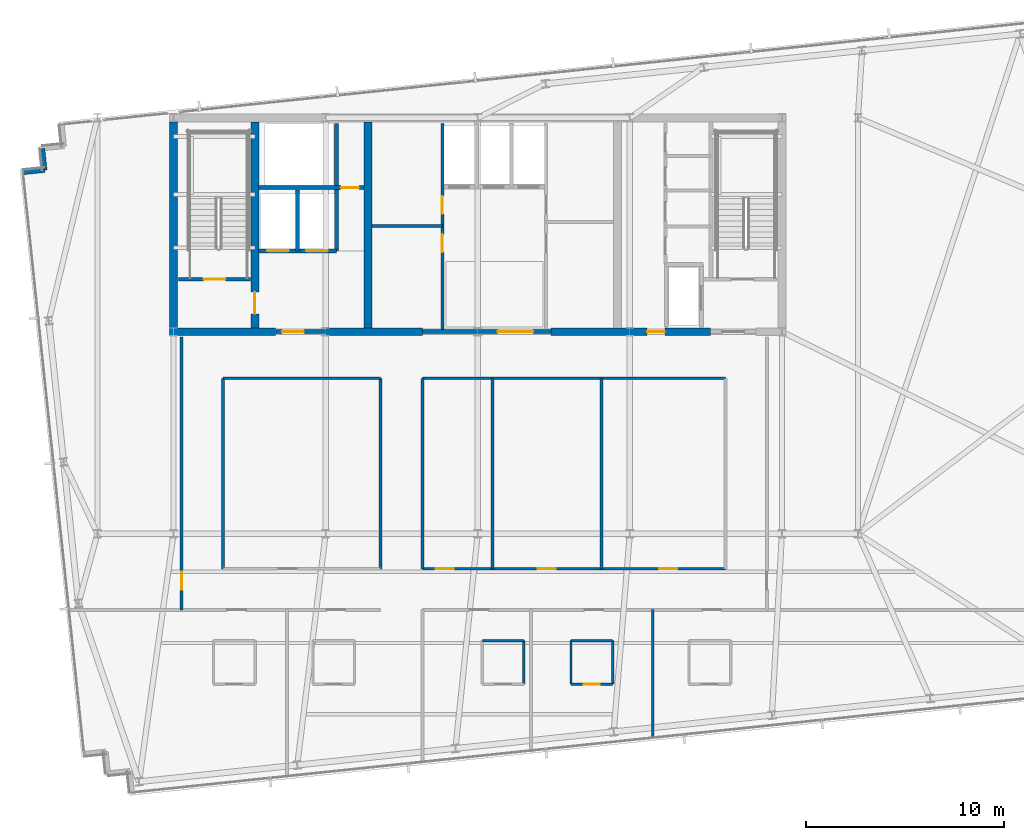
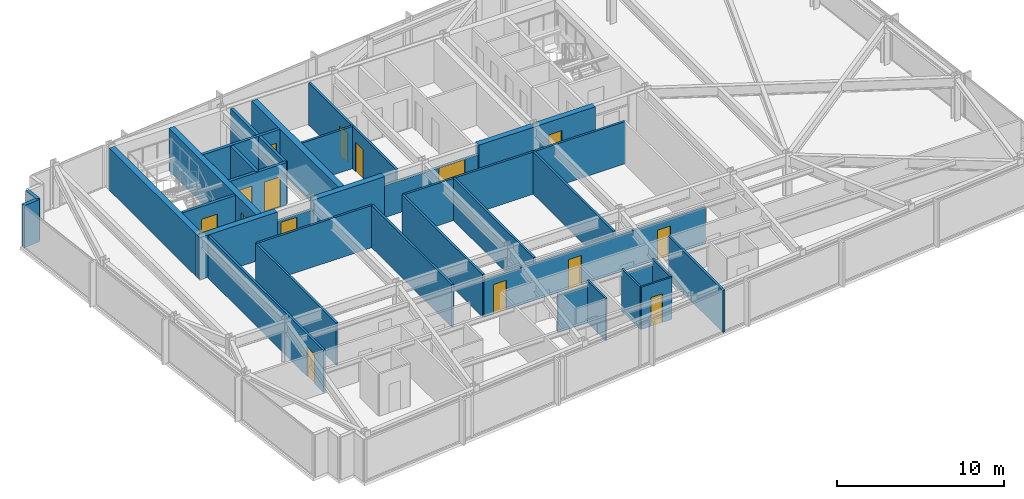
# One storey, part 27 of 33: 33 walls, 15 doors, 15 openings.
"""IFC4 building model written with IfcOpenShell, lengths in metres."""

from ifc_helpers import new_model, si_unit, direction, frame, frame_2d, origin, place, context, subcontext, project, spatial, rectangle, extrude, material, layer, layer_set, type_object, element, fill, save


model = new_model("IFC4")

# Units and contexts
model_context = context("Model", 3, precision=1e-05, world=origin(), true_north=direction((0.0, 1.0)))
body_context = subcontext(model_context, "Body", "Model", "MODEL_VIEW")
ifc_project = project(units=[si_unit("LENGTHUNIT", "METRE"), si_unit("AREAUNIT", "SQUARE_METRE"), si_unit("VOLUMEUNIT", "CUBIC_METRE"), si_unit("PLANEANGLEUNIT", "RADIAN"), si_unit("MASSUNIT", "GRAM", prefix="KILO")], contexts=[model_context])

# Site, building, storey
site_placement = place(None, origin())
site = spatial("IfcSite", under=ifc_project, at=site_placement, CompositionType="ELEMENT")
building_placement = place(site_placement, origin())
building = spatial("IfcBuilding", under=site, at=building_placement, Name="Yelkora Congress Tower", CompositionType="ELEMENT")
storey_placement = place(building_placement, frame((0.0, 0.0, 227.60009765625)))
storey = spatial("IfcBuildingStorey", under=building, at=storey_placement, Name="L63", CompositionType="ELEMENT", Elevation=227.60009765625)

# Walls
ifc_material_1 = material(Name="Concrete C50/60", Category="concrete")
ifc_layer_1 = layer(ifc_material_1, 0.39990234375)
ifc_layer_set_1 = layer_set([ifc_layer_1], Name="Concrete C50/60")
wall_type_1 = type_object("IfcWallType", Name="WALL-CORE-INT-400", PredefinedType="SHEAR", material=ifc_layer_set_1)
wall_1_placement = place(storey_placement, frame((22.840087890625, 35.39990234375, 0.0), z_axis=(0.0, 0.0, 1.0), x_axis=(1.0, 0.0, 0.0)))
element("IfcWall", 1, at=wall_1_placement, inside=storey, type_object=wall_type_1, Name="L63 Rear Core South-West Shear Wall", PredefinedType="SHEAR", context=body_context, shape_type="SweptSolid", body=[
    extrude(rectangle(XDim=5.35986328125, YDim=0.39990234375, at=frame_2d((2.679931640625, 0.0))), origin(), (0.0, 0.0, 1.0), 3.079833984375),
])
wall_2_placement = place(storey_placement, frame((30.719970703125, 35.39990234375, 0.0), z_axis=(0.0, 0.0, 1.0), x_axis=(1.0, 0.0, 0.0)))
element("IfcWall", 2, at=wall_2_placement, inside=storey, type_object=wall_type_1, Name="L63 Rear Core South-Center Shear Pier", PredefinedType="SHEAR", context=body_context, shape_type="SweptSolid", body=[
    extrude(rectangle(XDim=4.880126953125, YDim=0.39990234375, at=frame_2d((2.43994140625, 0.0))), origin(), (0.0, 0.0, 1.0), 3.079833984375),
])

# Wall, opening, door
wall_3_placement = place(storey_placement, frame((42.10009765625, 35.39990234375, 0.0), z_axis=(0.0, 0.0, 1.0), x_axis=(1.0, 0.0, 0.0)))
wall_3 = element("IfcWall", 3, at=wall_3_placement, inside=storey, type_object=wall_type_1, Name="L63 Rear Core South-East Shear Wall A", PredefinedType="SHEAR", context=body_context, shape_type="SweptSolid", body=[
    extrude(rectangle(XDim=8.0498046875, YDim=0.39990234375, at=frame_2d((4.02490234375, 0.0))), origin(), (0.0, 0.0, 1.0), 3.079833984375),
])
opening_1_placement = place(wall_3_placement, frame((4.85009765625, 0.0, 0.0)))
opening_1 = element("IfcOpeningElement", 4, at=opening_1_placement, cuts=wall_3, Name="Opening DR-090F6", PredefinedType="OPENING", context=body_context, shape_type="SweptSolid", body=[
    extrude(rectangle(XDim=0.89990234375, YDim=2.14990234375, at=frame_2d((0.449951171875, 1.074951171875))), frame((0.0, 0.2099609375, 0.0), z_axis=(0.0, -1.0, 0.0), x_axis=(1.0, 0.0, 0.0)), (0.0, 0.0, 1.0), 0.419921875),
])
ifc_material_2 = material(Name="Painted steel riser fire door leaf", Category="steel")
door_type_1 = type_object("IfcDoorType", Name="DOOR-FD60-900", OperationType="NOTDEFINED", PredefinedType="DOOR", material=ifc_material_2)
door_1_placement = place(opening_1_placement, origin())
door_1 = element("IfcDoor", 5, at=door_1_placement, inside=storey, type_object=door_type_1, Name="L63 Core Washroom Lobby Door", OperationType="SINGLE_SWING_RIGHT", OverallHeight=2.14990234375, OverallWidth=0.89990234375, PredefinedType="DOOR", context=body_context, shape_type="SweptSolid", body=[
    extrude(rectangle(XDim=0.89990234375, YDim=2.14990234375, at=frame_2d((0.449951171875, 1.074951171875))), frame((0.0, 0.02490234375, 0.0), z_axis=(0.0, -1.0, 0.0), x_axis=(1.0, 0.0, 0.0)), (0.0, 0.0, 1.0), 0.050048828125),
])
fill(opening_1, door_1)

# Wall
wall_4_placement = place(storey_placement, frame((23.0400390625, 35.60009765625, 0.0), z_axis=(0.0, 0.0, 1.0), x_axis=(0.0, 1.0, 0.0)))
element("IfcWall", 6, at=wall_4_placement, inside=storey, type_object=wall_type_1, Name="L63 Rear Core Cross Shear Wall W", PredefinedType="SHEAR", context=body_context, shape_type="SweptSolid", body=[
    extrude(rectangle(XDim=10.39990234375, YDim=0.39990234375, at=frame_2d((5.199951171875, 0.0))), origin(), (0.0, 0.0, 1.0), 3.079833984375),
])

# Wall, opening, door
wall_5_placement = place(storey_placement, frame((27.14990234375, 35.60009765625, 0.0), z_axis=(0.0, 0.0, 1.0), x_axis=(0.0, 1.0, 0.0)))
wall_5 = element("IfcWall", 7, at=wall_5_placement, inside=storey, type_object=wall_type_1, Name="L63 Rear Core Cross Shear Wall C1", PredefinedType="SHEAR", context=body_context, shape_type="SweptSolid", body=[
    extrude(rectangle(XDim=10.39990234375, YDim=0.39990234375, at=frame_2d((5.199951171875, 0.0))), origin(), (0.0, 0.0, 1.0), 3.079833984375),
])
opening_2_placement = place(wall_5_placement, frame((0.699951171875, 0.0, 0.0)))
opening_2 = element("IfcOpeningElement", 8, at=opening_2_placement, cuts=wall_5, Name="Opening DR-110F9", PredefinedType="OPENING", context=body_context, shape_type="SweptSolid", body=[
    extrude(rectangle(XDim=1.10009765625, YDim=2.14990234375, at=frame_2d((0.550048828125, 1.074951171875))), frame((0.0, 0.2099609375, 0.0), z_axis=(0.0, -1.0, 0.0), x_axis=(1.0, 0.0, 0.0)), (0.0, 0.0, 1.0), 0.419921875),
])
ifc_material_3 = material(Name="Galvanised steel fire door leaf", Category="steel")
door_type_2 = type_object("IfcDoorType", Name="DOOR-FD90-1100", OperationType="NOTDEFINED", PredefinedType="DOOR", material=ifc_material_3)
door_2_placement = place(opening_2_placement, origin())
door_2 = element("IfcDoor", 9, at=door_2_placement, inside=storey, type_object=door_type_2, Name="L63 Firefighting Stair Transfer Door", OperationType="SINGLE_SWING_LEFT", OverallHeight=2.14990234375, OverallWidth=1.10009765625, PredefinedType="DOOR", context=body_context, shape_type="SweptSolid", body=[
    extrude(rectangle(XDim=1.10009765625, YDim=2.14990234375, at=frame_2d((0.550048828125, 1.074951171875))), frame((0.0, 0.02490234375, 0.0), z_axis=(0.0, -1.0, 0.0), x_axis=(1.0, 0.0, 0.0)), (0.0, 0.0, 1.0), 0.050048828125),
])
fill(opening_2, door_2)

# Walls
wall_6_placement = place(storey_placement, frame((32.85009765625, 35.60009765625, 0.0), z_axis=(0.0, 0.0, 1.0), x_axis=(0.0, 1.0, 0.0)))
element("IfcWall", 10, at=wall_6_placement, inside=storey, type_object=wall_type_1, Name="L63 Rear Core Cross Shear Wall C2", PredefinedType="SHEAR", context=body_context, shape_type="SweptSolid", body=[
    extrude(rectangle(XDim=10.39990234375, YDim=0.39990234375, at=frame_2d((5.199951171875, 0.0))), origin(), (0.0, 0.0, 1.0), 3.079833984375),
])
ifc_material_4 = material(Name="Concrete C40/50", Category="concrete")
ifc_layer_2 = layer(ifc_material_4, 0.239990234375)
ifc_layer_set_2 = layer_set([ifc_layer_2], Name="Concrete C40/50")
wall_type_2 = type_object("IfcWallType", Name="WALL-EXT-LIMESTONE-240", PredefinedType="SOLIDWALL", material=ifc_layer_set_2)
wall_7_placement = place(storey_placement, frame((15.441162109375, 43.444580078125, 0.0), z_axis=(0.0, 0.0, 1.0), x_axis=(0.994495717747, 0.104777227405, 0.0)))
element("IfcWall", 11, at=wall_7_placement, inside=storey, type_object=wall_type_2, Name="L63 Serrated Corner Limestone Pier 6", PredefinedType="SOLIDWALL", context=body_context, shape_type="SweptSolid", body=[
    extrude(rectangle(XDim=1.099853515625, YDim=0.239990234375, at=frame_2d((0.5498046875, 0.0))), origin(), (0.0, 0.0, 1.0), 3.079833984375),
])
wall_8_placement = place(storey_placement, frame((16.534912109375, 43.559814453125, 0.0), z_axis=(0.0, 0.0, 1.0), x_axis=(-0.104315068386, 0.994544300928, 0.0)))
element("IfcWall", 12, at=wall_8_placement, inside=storey, type_object=wall_type_2, Name="L63 Serrated Corner Limestone Pier 7", PredefinedType="SOLIDWALL", context=body_context, shape_type="SweptSolid", body=[
    extrude(rectangle(XDim=1.10009765625, YDim=0.239990234375, at=frame_2d((0.550048828125, 0.0))), origin(), (0.0, 0.0, 1.0), 3.079833984375),
])
ifc_material_5 = material(Name="Moisture-resistant gypsum partition", Category="gypsum")
ifc_layer_3 = layer(ifc_material_5, 0.1201171875)
ifc_layer_set_3 = layer_set([ifc_layer_3], Name="Moisture-resistant gypsum partition")
wall_type_3 = type_object("IfcWallType", Name="WALL-INT-120-NR", PredefinedType="PARTITIONING", material=ifc_layer_set_3)
wall_9_placement = place(storey_placement, frame((38.632080078125, 19.800048828125, 0.0), z_axis=(0.0, 0.0, 1.0), x_axis=(1.0, 0.0, 0.0)))
element("IfcWall", 13, at=wall_9_placement, inside=storey, type_object=wall_type_3, Name="L63 Partition Wall 33", PredefinedType="PARTITIONING", context=body_context, shape_type="SweptSolid", body=[
    extrude(rectangle(XDim=2.099853515625, YDim=0.1201171875, at=frame_2d((1.0498046875, 0.0))), origin(), (0.0, 0.0, 1.0), 2.71484375),
])
wall_10_placement = place(storey_placement, frame((40.73193359375, 17.60009765625, 0.0), z_axis=(0.0, 0.0, 1.0), x_axis=(0.0, 1.0, 0.0)))
element("IfcWall", 14, at=wall_10_placement, inside=storey, type_object=wall_type_3, Name="L63 Partition Wall 35", PredefinedType="PARTITIONING", context=body_context, shape_type="SweptSolid", body=[
    extrude(rectangle(XDim=2.199951171875, YDim=0.1201171875, at=frame_2d((1.10009765625, 0.0))), origin(), (0.0, 0.0, 1.0), 3.079833984375),
])
wall_11_placement = place(storey_placement, frame((43.110107421875, 19.800048828125, 0.0), z_axis=(0.0, 0.0, 1.0), x_axis=(1.0, 0.0, 0.0)))
element("IfcWall", 15, at=wall_11_placement, inside=storey, type_object=wall_type_3, Name="L63 Partition Wall 38", PredefinedType="PARTITIONING", context=body_context, shape_type="SweptSolid", body=[
    extrude(rectangle(XDim=2.099853515625, YDim=0.1201171875, at=frame_2d((1.0498046875, 0.0))), origin(), (0.0, 0.0, 1.0), 2.71484375),
])
for number, where, z_axis, x_axis, name in (
    (16, (43.110107421875, 17.60009765625, 0.0), (0.0, 0.0, 1.0), (0.0, 1.0, 0.0), "L63 Partition Wall 39"),
    (17, (45.2099609375, 17.60009765625, 0.0), (0.0, 0.0, 1.0), (0.0, 1.0, 0.0), "L63 Partition Wall 40"),
):
    element("IfcWall", number, at=place(storey_placement, frame(where, z_axis=z_axis, x_axis=x_axis)), inside=storey, type_object=wall_type_3, Name=name, PredefinedType="PARTITIONING", context=body_context, shape_type="SweptSolid", body=[
        extrude(rectangle(XDim=2.199951171875, YDim=0.1201171875, at=frame_2d((1.10009765625, 0.0))), origin(), (0.0, 0.0, 1.0), 3.079833984375),
    ])

# Wall, opening, door
wall_12_placement = place(storey_placement, frame((43.110107421875, 17.60009765625, 0.0), z_axis=(0.0, 0.0, 1.0), x_axis=(1.0, 0.0, 0.0)))
wall_12 = element("IfcWall", 18, at=wall_12_placement, inside=storey, type_object=wall_type_3, Name="L63 Partition Wall 41", PredefinedType="PARTITIONING", context=body_context, shape_type="SweptSolid", body=[
    extrude(rectangle(XDim=2.099853515625, YDim=0.1201171875, at=frame_2d((1.0498046875, 0.0))), origin(), (0.0, 0.0, 1.0), 3.079833984375),
])
opening_3_placement = place(wall_12_placement, frame((0.64990234375, 0.0, 0.0)))
opening_3 = element("IfcOpeningElement", 19, at=opening_3_placement, cuts=wall_12, Name="Opening DR-080B", PredefinedType="OPENING", context=body_context, shape_type="SweptSolid", body=[
    extrude(rectangle(XDim=0.800048828125, YDim=2.10009765625, at=frame_2d((0.39990234375, 1.050048828125))), frame((0.0, 0.070068359375, 0.0), z_axis=(0.0, -1.0, 0.0), x_axis=(1.0, 0.0, 0.0)), (0.0, 0.0, 1.0), 0.14013671875),
])
ifc_material_6 = material(Name="Moisture-sealed en-suite timber door", Category="wood")
door_type_3 = type_object("IfcDoorType", Name="DOOR-BATH-800", OperationType="NOTDEFINED", PredefinedType="DOOR", material=ifc_material_6)
door_3_placement = place(opening_3_placement, origin())
door_3 = element("IfcDoor", 20, at=door_3_placement, inside=storey, type_object=door_type_3, Name="L63 En-suite Door 5", OperationType="SINGLE_SWING_RIGHT", OverallHeight=2.10009765625, OverallWidth=0.800048828125, PredefinedType="DOOR", context=body_context, shape_type="SweptSolid", body=[
    extrude(rectangle(XDim=0.800048828125, YDim=2.10009765625, at=frame_2d((0.39990234375, 1.050048828125))), frame((0.0, 0.02490234375, 0.0), z_axis=(0.0, -1.0, 0.0), x_axis=(1.0, 0.0, 0.0)), (0.0, 0.0, 1.0), 0.050048828125),
])
fill(opening_3, door_3)

ifc_material_7 = material(Name="Acoustic metal-stud gypsum partition", Category="gypsum")
ifc_layer_4 = layer(ifc_material_7, 0.14990234375)
ifc_layer_set_4 = layer_set([ifc_layer_4], Name="Acoustic metal-stud gypsum partition")
wall_type_4 = type_object("IfcWallType", Name="WALL-INT-150-NR", PredefinedType="PARTITIONING", material=ifc_layer_set_4)
wall_13_placement = place(storey_placement, frame((23.449951171875, 21.35009765625, 0.0), z_axis=(0.0, 0.0, 1.0), x_axis=(0.0, 1.0, 0.0)))
wall_13 = element("IfcWall", 21, at=wall_13_placement, inside=storey, type_object=wall_type_4, Name="L63 Partition Wall 50", PredefinedType="PARTITIONING", context=body_context, shape_type="SweptSolid", body=[
    extrude(rectangle(XDim=13.789794921875, YDim=0.14990234375, at=frame_2d((6.89501953125, 0.0))), origin(), (0.0, 0.0, 1.0), 3.079833984375),
])
opening_4_placement = place(wall_13_placement, frame((1.030029296875, 0.0, 0.0)))
opening_4 = element("IfcOpeningElement", 22, at=opening_4_placement, cuts=wall_13, Name="Opening DR-090N", PredefinedType="OPENING", context=body_context, shape_type="SweptSolid", body=[
    extrude(rectangle(XDim=0.89990234375, YDim=2.14990234375, at=frame_2d((0.449951171875, 1.074951171875))), frame((0.0, 0.0849609375, 0.0), z_axis=(0.0, -1.0, 0.0), x_axis=(1.0, 0.0, 0.0)), (0.0, 0.0, 1.0), 0.169921875),
])
ifc_material_8 = material(Name="Moisture-resistant laminate door leaf", Category="wood")
door_type_4 = type_object("IfcDoorType", Name="DOOR-INT-900", OperationType="NOTDEFINED", PredefinedType="DOOR", material=ifc_material_8)
door_4_placement = place(opening_4_placement, origin())
door_4 = element("IfcDoor", 23, at=door_4_placement, inside=storey, type_object=door_type_4, Name="L63 W Wing Door", OperationType="SINGLE_SWING_LEFT", OverallHeight=2.14990234375, OverallWidth=0.89990234375, PredefinedType="DOOR", context=body_context, shape_type="SweptSolid", body=[
    extrude(rectangle(XDim=0.89990234375, YDim=2.14990234375, at=frame_2d((0.449951171875, 1.074951171875))), frame((0.0, 0.02490234375, 0.0), z_axis=(0.0, -1.0, 0.0), x_axis=(1.0, 0.0, 0.0)), (0.0, 0.0, 1.0), 0.050048828125),
])
fill(opening_4, door_4)

# Walls
for number, where, z_axis, x_axis, name in (
    (24, (25.530029296875, 23.429931640625, 0.0), (0.0, 0.0, 1.0), (0.0, 1.0, 0.0), "L63 Partition Wall 52"),
    (25, (33.5, 23.429931640625, 0.0), (0.0, 0.0, 1.0), (0.0, 1.0, 0.0), "L63 Partition Wall 54"),
    (26, (35.6201171875, 23.429931640625, 0.0), (0.0, 0.0, 1.0), (0.0, 1.0, 0.0), "L63 Partition Wall 55"),
):
    element("IfcWall", number, at=place(storey_placement, frame(where, z_axis=z_axis, x_axis=x_axis)), inside=storey, type_object=wall_type_4, Name=name, PredefinedType="PARTITIONING", context=body_context, shape_type="SweptSolid", body=[
        extrude(rectangle(XDim=9.6201171875, YDim=0.14990234375, at=frame_2d((4.81005859375, 0.0))), origin(), (0.0, 0.0, 1.0), 3.079833984375),
    ])
wall_14_placement = place(storey_placement, frame((25.530029296875, 33.050048828125, 0.0), z_axis=(0.0, 0.0, 1.0), x_axis=(1.0, 0.0, 0.0)))
element("IfcWall", 27, at=wall_14_placement, inside=storey, type_object=wall_type_4, Name="L63 Partition Wall 56", PredefinedType="PARTITIONING", context=body_context, shape_type="SweptSolid", body=[
    extrude(rectangle(XDim=7.969970703125, YDim=0.14990234375, at=frame_2d((3.98486328125, 0.0))), origin(), (0.0, 0.0, 1.0), 3.079833984375),
])
wall_15_placement = place(storey_placement, frame((35.6201171875, 33.050048828125, 0.0), z_axis=(0.0, 0.0, 1.0), x_axis=(1.0, 0.0, 0.0)))
element("IfcWall", 28, at=wall_15_placement, inside=storey, type_object=wall_type_4, Name="L63 Partition Wall 57", PredefinedType="PARTITIONING", context=body_context, shape_type="SweptSolid", body=[
    extrude(rectangle(XDim=15.2998046875, YDim=0.14990234375, at=frame_2d((7.64990234375, 0.0))), origin(), (0.0, 0.0, 1.0), 3.079833984375),
])
for number, where, z_axis, x_axis, name in (
    (29, (39.14208984375, 23.429931640625, 0.0), (0.0, 0.0, 1.0), (0.0, 1.0, 0.0), "L63 Partition Wall 59"),
    (30, (44.638916015625, 23.429931640625, 0.0), (0.0, 0.0, 1.0), (0.0, 1.0, 0.0), "L63 Partition Wall 60"),
):
    element("IfcWall", number, at=place(storey_placement, frame(where, z_axis=z_axis, x_axis=x_axis)), inside=storey, type_object=wall_type_4, Name=name, PredefinedType="PARTITIONING", context=body_context, shape_type="SweptSolid", body=[
        extrude(rectangle(XDim=9.6201171875, YDim=0.14990234375, at=frame_2d((4.81005859375, 0.0))), origin(), (0.0, 0.0, 1.0), 3.079833984375),
    ])

# Wall, openings, doors
wall_16_placement = place(storey_placement, frame((35.6298828125, 23.429931640625, 0.0), z_axis=(0.0, 0.0, 1.0), x_axis=(1.0, 0.0, 0.0)))
wall_16 = element("IfcWall", 31, at=wall_16_placement, inside=storey, type_object=wall_type_4, Name="L63 Partition Wall 61", PredefinedType="PARTITIONING", context=body_context, shape_type="SweptSolid", body=[
    extrude(rectangle(XDim=15.27001953125, YDim=0.14990234375, at=frame_2d((7.635009765625, 0.0))), origin(), (0.0, 0.0, 1.0), 2.71484375),
])
opening_5_placement = place(wall_16_placement, frame((0.64990234375, 0.0, 0.0)))
opening_5 = element("IfcOpeningElement", 32, at=opening_5_placement, cuts=wall_16, Name="Opening DR-090N", PredefinedType="OPENING", context=body_context, shape_type="SweptSolid", body=[
    extrude(rectangle(XDim=0.89990234375, YDim=2.14990234375, at=frame_2d((0.449951171875, 1.074951171875))), frame((0.0, 0.0849609375, 0.0), z_axis=(0.0, -1.0, 0.0), x_axis=(1.0, 0.0, 0.0)), (0.0, 0.0, 1.0), 0.169921875),
])
opening_6_placement = place(wall_16_placement, frame((5.810546875, 0.0, 0.0)))
opening_6 = element("IfcOpeningElement", 33, at=opening_6_placement, cuts=wall_16, Name="Opening DR-090N", PredefinedType="OPENING", context=body_context, shape_type="SweptSolid", body=[
    extrude(rectangle(XDim=0.89990234375, YDim=2.14990234375, at=frame_2d((0.449951171875, 1.074951171875))), frame((0.0, 0.0849609375, 0.0), z_axis=(0.0, -1.0, 0.0), x_axis=(1.0, 0.0, 0.0)), (0.0, 0.0, 1.0), 0.169921875),
])
opening_7_placement = place(wall_16_placement, frame((11.943359375, 0.0, 0.0)))
opening_7 = element("IfcOpeningElement", 34, at=opening_7_placement, cuts=wall_16, Name="Opening DR-090N", PredefinedType="OPENING", context=body_context, shape_type="SweptSolid", body=[
    extrude(rectangle(XDim=0.89990234375, YDim=2.14990234375, at=frame_2d((0.449951171875, 1.074951171875))), frame((0.0, 0.0849609375, 0.0), z_axis=(0.0, -1.0, 0.0), x_axis=(1.0, 0.0, 0.0)), (0.0, 0.0, 1.0), 0.169921875),
])
door_5_placement = place(opening_5_placement, origin())
door_5 = element("IfcDoor", 35, at=door_5_placement, inside=storey, type_object=door_type_4, Name="L63 Hospitality Pantry Door", OperationType="SINGLE_SWING_RIGHT", OverallHeight=2.14990234375, OverallWidth=0.89990234375, PredefinedType="DOOR", context=body_context, shape_type="SweptSolid", body=[
    extrude(rectangle(XDim=0.89990234375, YDim=2.14990234375, at=frame_2d((0.449951171875, 1.074951171875))), frame((0.0, 0.02490234375, 0.0), z_axis=(0.0, -1.0, 0.0), x_axis=(1.0, 0.0, 0.0)), (0.0, 0.0, 1.0), 0.050048828125),
])
fill(opening_5, door_5)
door_6_placement = place(opening_6_placement, origin())
door_6 = element("IfcDoor", 36, at=door_6_placement, inside=storey, type_object=door_type_4, Name="L63 Staff Operations Room Door", OperationType="SINGLE_SWING_LEFT", OverallHeight=2.14990234375, OverallWidth=0.89990234375, PredefinedType="DOOR", context=body_context, shape_type="SweptSolid", body=[
    extrude(rectangle(XDim=0.89990234375, YDim=2.14990234375, at=frame_2d((0.449951171875, 1.074951171875))), frame((0.0, 0.02490234375, 0.0), z_axis=(0.0, -1.0, 0.0), x_axis=(1.0, 0.0, 0.0)), (0.0, 0.0, 1.0), 0.050048828125),
])
fill(opening_6, door_6)
door_7_placement = place(opening_7_placement, origin())
door_7 = element("IfcDoor", 37, at=door_7_placement, inside=storey, type_object=door_type_4, Name="L63 Security Control Room Door", OperationType="SINGLE_SWING_RIGHT", OverallHeight=2.14990234375, OverallWidth=0.89990234375, PredefinedType="DOOR", context=body_context, shape_type="SweptSolid", body=[
    extrude(rectangle(XDim=0.89990234375, YDim=2.14990234375, at=frame_2d((0.449951171875, 1.074951171875))), frame((0.0, 0.02490234375, 0.0), z_axis=(0.0, -1.0, 0.0), x_axis=(1.0, 0.0, 0.0)), (0.0, 0.0, 1.0), 0.050048828125),
])
fill(opening_7, door_7)

# Wall
ifc_material_9 = material(Name="Twin-stud fire-rated gypsum partition", Category="gypsum")
ifc_layer_5 = layer(ifc_material_9, 0.14990234375)
ifc_layer_set_5 = layer_set([ifc_layer_5], Name="Twin-stud fire-rated gypsum partition")
wall_type_5 = type_object("IfcWallType", Name="WALL-INT-150-R60", PredefinedType="PARTITIONING", material=ifc_layer_set_5)
wall_17_placement = place(storey_placement, frame((33.050048828125, 40.75, 0.0), z_axis=(0.0, 0.0, 1.0), x_axis=(1.0, 0.0, 0.0)))
element("IfcWall", 38, at=wall_17_placement, inside=storey, type_object=wall_type_5, Name="L63 Partition Wall 11", PredefinedType="PARTITIONING", context=body_context, shape_type="SweptSolid", body=[
    extrude(rectangle(XDim=3.570068359375, YDim=0.14990234375, at=frame_2d((1.78515625, 0.0))), origin(), (0.0, 0.0, 1.0), 3.079833984375),
])

# Wall, openings, doors
wall_18_placement = place(storey_placement, frame((36.6201171875, 35.5, 0.0), z_axis=(0.0, 0.0, 1.0), x_axis=(0.0, 1.0, 0.0)))
wall_18 = element("IfcWall", 39, at=wall_18_placement, inside=storey, type_object=wall_type_5, Name="L63 Partition Wall 12", PredefinedType="PARTITIONING", context=body_context, shape_type="SweptSolid", body=[
    extrude(rectangle(XDim=10.419921875, YDim=0.14990234375, at=frame_2d((5.2099609375, 0.0))), origin(), (0.0, 0.0, 1.0), 3.079833984375),
])
opening_8_placement = place(wall_18_placement, frame((3.919921875, 0.0, 0.0)))
opening_8 = element("IfcOpeningElement", 40, at=opening_8_placement, cuts=wall_18, Name="Opening DR-090F6", PredefinedType="OPENING", context=body_context, shape_type="SweptSolid", body=[
    extrude(rectangle(XDim=0.89990234375, YDim=2.14990234375, at=frame_2d((0.449951171875, 1.074951171875))), frame((0.0, 0.0849609375, 0.0), z_axis=(0.0, -1.0, 0.0), x_axis=(1.0, 0.0, 0.0)), (0.0, 0.0, 1.0), 0.169921875),
])
opening_9_placement = place(wall_18_placement, frame((5.85009765625, 0.0, 0.0)))
opening_9 = element("IfcOpeningElement", 41, at=opening_9_placement, cuts=wall_18, Name="Opening DR-090F6", PredefinedType="OPENING", context=body_context, shape_type="SweptSolid", body=[
    extrude(rectangle(XDim=0.89990234375, YDim=2.14990234375, at=frame_2d((0.449951171875, 1.074951171875))), frame((0.0, 0.0849609375, 0.0), z_axis=(0.0, -1.0, 0.0), x_axis=(1.0, 0.0, 0.0)), (0.0, 0.0, 1.0), 0.169921875),
])
door_8_placement = place(opening_8_placement, origin())
door_8 = element("IfcDoor", 42, at=door_8_placement, inside=storey, type_object=door_type_1, Name="L63 Telecom Store Door", OperationType="SINGLE_SWING_RIGHT", OverallHeight=2.14990234375, OverallWidth=0.89990234375, PredefinedType="DOOR", context=body_context, shape_type="SweptSolid", body=[
    extrude(rectangle(XDim=0.89990234375, YDim=2.14990234375, at=frame_2d((0.449951171875, 1.074951171875))), frame((0.0, 0.02490234375, 0.0), z_axis=(0.0, -1.0, 0.0), x_axis=(1.0, 0.0, 0.0)), (0.0, 0.0, 1.0), 0.050048828125),
])
fill(opening_8, door_8)
door_9_placement = place(opening_9_placement, origin())
door_9 = element("IfcDoor", 43, at=door_9_placement, inside=storey, type_object=door_type_1, Name="L63 Archive Store Door", OperationType="SINGLE_SWING_LEFT", OverallHeight=2.14990234375, OverallWidth=0.89990234375, PredefinedType="DOOR", context=body_context, shape_type="SweptSolid", body=[
    extrude(rectangle(XDim=0.89990234375, YDim=2.14990234375, at=frame_2d((0.449951171875, 1.074951171875))), frame((0.0, 0.02490234375, 0.0), z_axis=(0.0, -1.0, 0.0), x_axis=(1.0, 0.0, 0.0)), (0.0, 0.0, 1.0), 0.050048828125),
])
fill(opening_9, door_9)

# Wall
wall_19_placement = place(storey_placement, frame((47.238037109375, 14.831787109375, 0.0), z_axis=(0.0, 0.0, 1.0), x_axis=(0.0, 1.0, 0.0)))
element("IfcWall", 44, at=wall_19_placement, inside=storey, type_object=wall_type_5, Name="L63 Partition Wall 47", PredefinedType="PARTITIONING", context=body_context, shape_type="SweptSolid", body=[
    extrude(rectangle(XDim=6.538330078125, YDim=0.14990234375, at=frame_2d((3.26904296875, 0.0))), origin(), (0.0, 0.0, 1.0), 3.079833984375),
])

# Wall, opening, door
ifc_material_10 = material(Name="Autoclaved aerated concrete blockwork", Category="masonry")
ifc_layer_6 = layer(ifc_material_10, 0.199951171875)
ifc_layer_set_6 = layer_set([ifc_layer_6], Name="Autoclaved aerated concrete blockwork")
wall_type_6 = type_object("IfcWallType", Name="WALL-INT-200-R120", PredefinedType="PARTITIONING", material=ifc_layer_set_6)
wall_20_placement = place(storey_placement, frame((23.300048828125, 38.050048828125, 0.0), z_axis=(0.0, 0.0, 1.0), x_axis=(1.0, 0.0, 0.0)))
wall_20 = element("IfcWall", 45, at=wall_20_placement, inside=storey, type_object=wall_type_6, Name="L63 Stair ST-01 Enclosure Wall", PredefinedType="PARTITIONING", context=body_context, shape_type="SweptSolid", body=[
    extrude(rectangle(XDim=3.619873046875, YDim=0.199951171875, at=frame_2d((1.81005859375, 0.0))), origin(), (0.0, 0.0, 1.0), 3.079833984375),
])
opening_10_placement = place(wall_20_placement, frame((1.260009765625, 0.0, 0.0)))
opening_10 = element("IfcOpeningElement", 46, at=opening_10_placement, cuts=wall_20, Name="Opening DR-110F9", PredefinedType="OPENING", context=body_context, shape_type="SweptSolid", body=[
    extrude(rectangle(XDim=1.10009765625, YDim=2.14990234375, at=frame_2d((0.550048828125, 1.074951171875))), frame((0.0, 0.10986328125, 0.0), z_axis=(0.0, -1.0, 0.0), x_axis=(1.0, 0.0, 0.0)), (0.0, 0.0, 1.0), 0.219970703125),
])
door_10_placement = place(opening_10_placement, origin())
door_10 = element("IfcDoor", 47, at=door_10_placement, inside=storey, type_object=door_type_2, Name="L63 Stair ST-01 Entry Door", OperationType="SINGLE_SWING_LEFT", OverallHeight=2.14990234375, OverallWidth=1.10009765625, PredefinedType="DOOR", context=body_context, shape_type="SweptSolid", body=[
    extrude(rectangle(XDim=1.10009765625, YDim=2.14990234375, at=frame_2d((0.550048828125, 1.074951171875))), frame((0.0, 0.02490234375, 0.0), z_axis=(0.0, -1.0, 0.0), x_axis=(1.0, 0.0, 0.0)), (0.0, 0.0, 1.0), 0.050048828125),
])
fill(opening_10, door_10)

wall_21_placement = place(storey_placement, frame((28.219970703125, 35.39990234375, 0.0), z_axis=(0.0, 0.0, 1.0), x_axis=(1.0, 0.0, 0.0)))
wall_21 = element("IfcWall", 48, at=wall_21_placement, inside=storey, type_object=wall_type_6, Name="L63 Firefighting Lobby South Wall", PredefinedType="PARTITIONING", context=body_context, shape_type="SweptSolid", body=[
    extrude(rectangle(XDim=2.5, YDim=0.199951171875, at=frame_2d((1.25, 0.0))), origin(), (0.0, 0.0, 1.0), 2.31298828125),
])
opening_11_placement = place(wall_21_placement, frame((0.300048828125, 0.0, 0.0)))
opening_11 = element("IfcOpeningElement", 49, at=opening_11_placement, cuts=wall_21, Name="Opening DR-110F9", PredefinedType="OPENING", context=body_context, shape_type="SweptSolid", body=[
    extrude(rectangle(XDim=1.10009765625, YDim=2.14990234375, at=frame_2d((0.550048828125, 1.074951171875))), frame((0.0, 0.10986328125, 0.0), z_axis=(0.0, -1.0, 0.0), x_axis=(1.0, 0.0, 0.0)), (0.0, 0.0, 1.0), 0.219970703125),
])
door_11_placement = place(opening_11_placement, origin())
door_11 = element("IfcDoor", 50, at=door_11_placement, inside=storey, type_object=door_type_2, Name="L63 Firefighting Lobby Corridor Door", OperationType="SINGLE_SWING_RIGHT", OverallHeight=2.14990234375, OverallWidth=1.10009765625, PredefinedType="DOOR", context=body_context, shape_type="SweptSolid", body=[
    extrude(rectangle(XDim=1.10009765625, YDim=2.14990234375, at=frame_2d((0.550048828125, 1.074951171875))), frame((0.0, 0.02490234375, 0.0), z_axis=(0.0, -1.0, 0.0), x_axis=(1.0, 0.0, 0.0)), (0.0, 0.0, 1.0), 0.050048828125),
])
fill(opening_11, door_11)

# Wall, openings, doors
wall_22_placement = place(storey_placement, frame((27.320068359375, 39.47998046875, 0.0), z_axis=(0.0, 0.0, 1.0), x_axis=(1.0, 0.0, 0.0)))
wall_22 = element("IfcWall", 51, at=wall_22_placement, inside=storey, type_object=wall_type_6, Name="L63 Firefighting Lift Front Wall", PredefinedType="PARTITIONING", context=body_context, shape_type="SweptSolid", body=[
    extrude(rectangle(XDim=3.93994140625, YDim=0.199951171875, at=frame_2d((1.969970703125, 0.0))), origin(), (0.0, 0.0, 1.0), 3.079833984375),
])
opening_12_placement = place(wall_22_placement, frame((0.449951171875, 0.0, 0.0)))
opening_12 = element("IfcOpeningElement", 52, at=opening_12_placement, cuts=wall_22, Name="Opening LD-FF11", PredefinedType="OPENING", context=body_context, shape_type="SweptSolid", body=[
    extrude(rectangle(XDim=1.10009765625, YDim=2.199951171875, at=frame_2d((0.550048828125, 1.10009765625))), frame((0.0, 0.10986328125, 0.0), z_axis=(0.0, -1.0, 0.0), x_axis=(1.0, 0.0, 0.0)), (0.0, 0.0, 1.0), 0.219970703125),
])
opening_13_placement = place(wall_22_placement, frame((2.409912109375, 0.0, 0.0)))
opening_13 = element("IfcOpeningElement", 53, at=opening_13_placement, cuts=wall_22, Name="Opening LD-FF11", PredefinedType="OPENING", context=body_context, shape_type="SweptSolid", body=[
    extrude(rectangle(XDim=1.10009765625, YDim=2.199951171875, at=frame_2d((0.550048828125, 1.10009765625))), frame((0.0, 0.10986328125, 0.0), z_axis=(0.0, -1.0, 0.0), x_axis=(1.0, 0.0, 0.0)), (0.0, 0.0, 1.0), 0.219970703125),
])
ifc_material_11 = material(Name="Brushed stainless steel 316L landing door", Category="steel")
door_type_5 = type_object("IfcDoorType", Name="DOOR-LIFT-FF-1100", OperationType="DOUBLE_DOOR_SLIDING", PredefinedType="DOOR", material=ifc_material_11)
door_12_placement = place(opening_12_placement, origin())
door_12 = element("IfcDoor", 54, at=door_12_placement, inside=storey, type_object=door_type_5, Name="Lift Landing Door LF-FF1 L63", OperationType="DOUBLE_DOOR_SLIDING", OverallHeight=2.199951171875, OverallWidth=1.10009765625, PredefinedType="DOOR", context=body_context, shape_type="SweptSolid", body=[
    extrude(rectangle(XDim=1.10009765625, YDim=2.199951171875, at=frame_2d((0.550048828125, 1.10009765625))), frame((0.0, 0.02490234375, 0.0), z_axis=(0.0, -1.0, 0.0), x_axis=(1.0, 0.0, 0.0)), (0.0, 0.0, 1.0), 0.050048828125),
])
fill(opening_12, door_12)
door_13_placement = place(opening_13_placement, origin())
door_13 = element("IfcDoor", 55, at=door_13_placement, inside=storey, type_object=door_type_5, Name="Lift Landing Door LF-FF2 L63", OperationType="DOUBLE_DOOR_SLIDING", OverallHeight=2.199951171875, OverallWidth=1.10009765625, PredefinedType="DOOR", context=body_context, shape_type="SweptSolid", body=[
    extrude(rectangle(XDim=1.10009765625, YDim=2.199951171875, at=frame_2d((0.550048828125, 1.10009765625))), frame((0.0, 0.02490234375, 0.0), z_axis=(0.0, -1.0, 0.0), x_axis=(1.0, 0.0, 0.0)), (0.0, 0.0, 1.0), 0.050048828125),
])
fill(opening_13, door_13)

# Walls
wall_23_placement = place(storey_placement, frame((29.300048828125, 39.47998046875, 0.0), z_axis=(0.0, 0.0, 1.0), x_axis=(0.0, 1.0, 0.0)))
element("IfcWall", 56, at=wall_23_placement, inside=storey, type_object=wall_type_6, Name="L63 Partition Wall 4", PredefinedType="PARTITIONING", context=body_context, shape_type="SweptSolid", body=[
    extrude(rectangle(XDim=3.070068359375, YDim=0.199951171875, at=frame_2d((1.53515625, 0.0))), origin(), (0.0, 0.0, 1.0), 3.079833984375),
])
wall_24_placement = place(storey_placement, frame((31.260009765625, 39.47998046875, 0.0), z_axis=(0.0, 0.0, 1.0), x_axis=(0.0, 1.0, 0.0)))
element("IfcWall", 57, at=wall_24_placement, inside=storey, type_object=wall_type_6, Name="L63 Partition Wall 5", PredefinedType="PARTITIONING", context=body_context, shape_type="SweptSolid", body=[
    extrude(rectangle(XDim=6.43994140625, YDim=0.199951171875, at=frame_2d((3.219970703125, 0.0))), origin(), (0.0, 0.0, 1.0), 3.079833984375),
])

# Wall, opening, door
wall_25_placement = place(storey_placement, frame((27.320068359375, 42.679931640625, 0.0), z_axis=(0.0, 0.0, 1.0), x_axis=(1.0, 0.0, 0.0)))
wall_25 = element("IfcWall", 58, at=wall_25_placement, inside=storey, type_object=wall_type_6, Name="L63 Smoke Riser South Wall", PredefinedType="PARTITIONING", context=body_context, shape_type="SweptSolid", body=[
    extrude(rectangle(XDim=5.329833984375, YDim=0.199951171875, at=frame_2d((2.6650390625, 0.0))), origin(), (0.0, 0.0, 1.0), 3.079833984375),
])
opening_14_placement = place(wall_25_placement, frame((4.179931640625, 0.0, 0.0)))
opening_14 = element("IfcOpeningElement", 59, at=opening_14_placement, cuts=wall_25, Name="Opening DR-090F6", PredefinedType="OPENING", context=body_context, shape_type="SweptSolid", body=[
    extrude(rectangle(XDim=0.89990234375, YDim=2.14990234375, at=frame_2d((0.449951171875, 1.074951171875))), frame((0.0, 0.10986328125, 0.0), z_axis=(0.0, -1.0, 0.0), x_axis=(1.0, 0.0, 0.0)), (0.0, 0.0, 1.0), 0.219970703125),
])
door_14_placement = place(opening_14_placement, origin())
door_14 = element("IfcDoor", 60, at=door_14_placement, inside=storey, type_object=door_type_1, Name="L63 Riser Access Door", OperationType="SINGLE_SWING_LEFT", OverallHeight=2.14990234375, OverallWidth=0.89990234375, PredefinedType="DOOR", context=body_context, shape_type="SweptSolid", body=[
    extrude(rectangle(XDim=0.89990234375, YDim=2.14990234375, at=frame_2d((0.449951171875, 1.074951171875))), frame((0.0, 0.02490234375, 0.0), z_axis=(0.0, -1.0, 0.0), x_axis=(1.0, 0.0, 0.0)), (0.0, 0.0, 1.0), 0.050048828125),
])
fill(opening_14, door_14)

wall_26_placement = place(storey_placement, frame((35.60009765625, 35.39990234375, 0.0), z_axis=(0.0, 0.0, 1.0), x_axis=(1.0, 0.0, 0.0)))
wall_26 = element("IfcWall", 61, at=wall_26_placement, inside=storey, type_object=wall_type_6, Name="L63 Main Lift Lobby South Portal Wall", PredefinedType="PARTITIONING", context=body_context, shape_type="SweptSolid", body=[
    extrude(rectangle(XDim=6.5, YDim=0.199951171875, at=frame_2d((3.25, 0.0))), origin(), (0.0, 0.0, 1.0), 2.31298828125),
])
opening_15_placement = place(wall_26_placement, frame((3.800048828125, 0.0, 0.0)))
opening_15 = element("IfcOpeningElement", 62, at=opening_15_placement, cuts=wall_26, Name="Opening DR-180D", PredefinedType="OPENING", context=body_context, shape_type="SweptSolid", body=[
    extrude(rectangle(XDim=1.800048828125, YDim=2.300048828125, at=frame_2d((0.89990234375, 1.14990234375))), frame((0.0, 0.10986328125, 0.0), z_axis=(0.0, -1.0, 0.0), x_axis=(1.0, 0.0, 0.0)), (0.0, 0.0, 1.0), 0.219970703125),
])
ifc_material_12 = material(Name="Acoustic double congress hall doors", Category="wood")
door_type_6 = type_object("IfcDoorType", Name="DOOR-DBL-1800", OperationType="DOUBLE_DOOR_SINGLE_SWING", PredefinedType="DOOR", material=ifc_material_12)
door_15_placement = place(opening_15_placement, origin())
door_15 = element("IfcDoor", 63, at=door_15_placement, inside=storey, type_object=door_type_6, Name="L63 Main Lift Lobby Portal Door", OperationType="DOUBLE_DOOR_SINGLE_SWING", OverallHeight=2.300048828125, OverallWidth=1.800048828125, PredefinedType="DOOR", context=body_context, shape_type="SweptSolid", body=[
    extrude(rectangle(XDim=1.800048828125, YDim=2.300048828125, at=frame_2d((0.89990234375, 1.14990234375))), frame((0.0, 0.02490234375, 0.0), z_axis=(0.0, -1.0, 0.0), x_axis=(1.0, 0.0, 0.0)), (0.0, 0.0, 1.0), 0.050048828125),
])
fill(opening_15, door_15)

save(model, "model.ifc")
